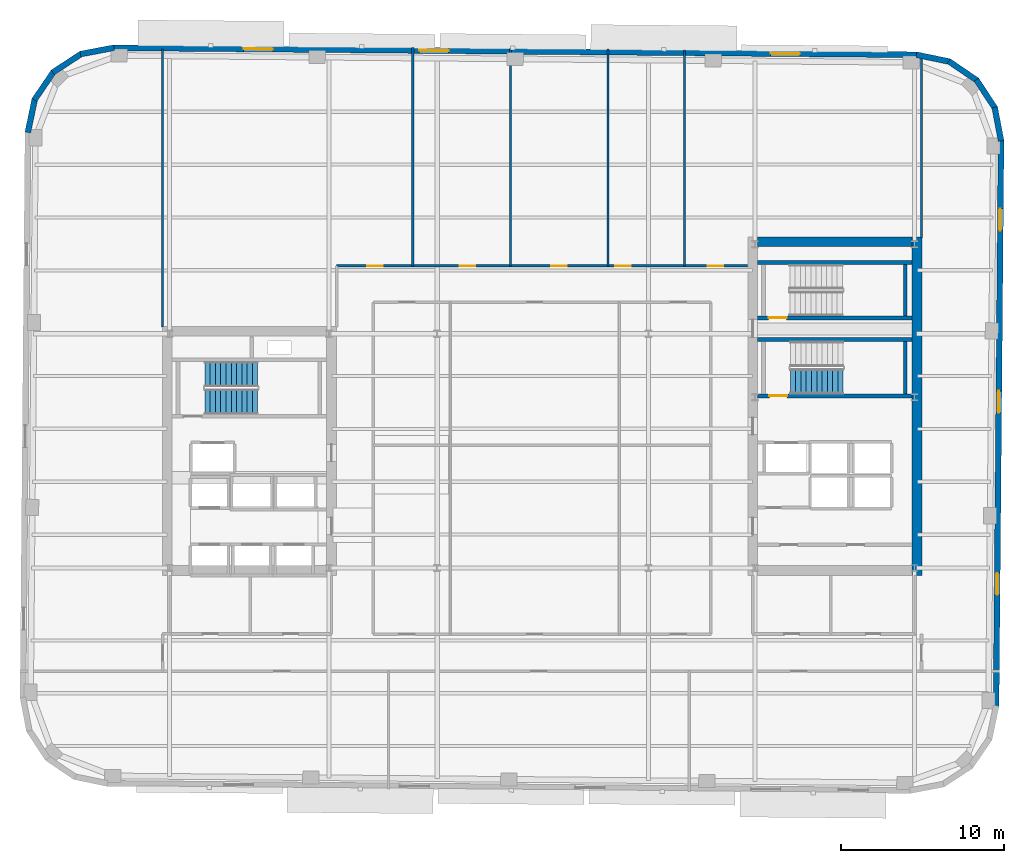
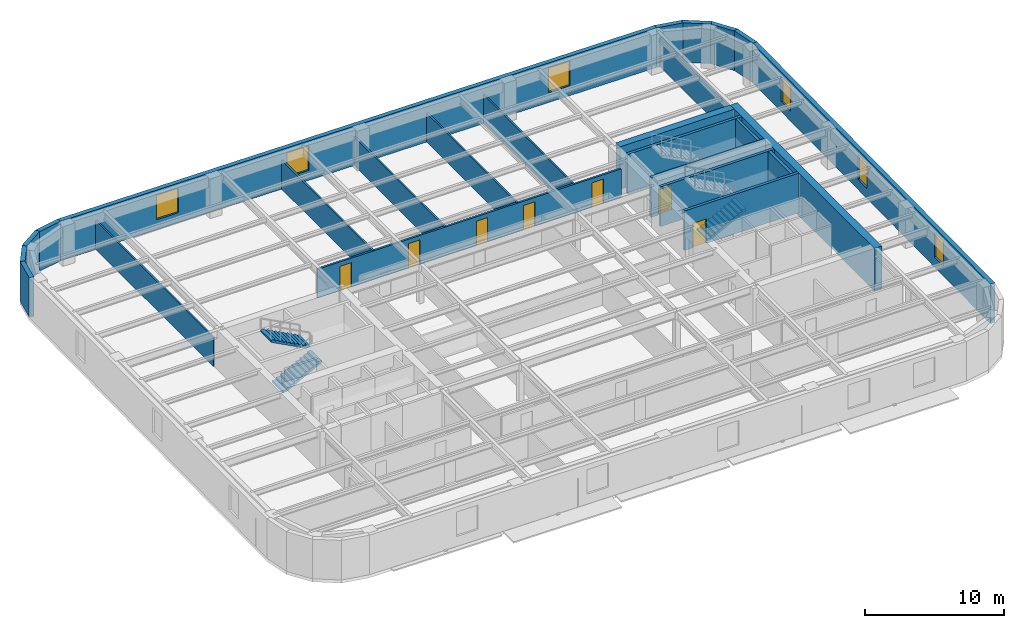
# One storey, part 6 of 11: 25 walls, 7 doors, 6 windows, 3 stair flights, 13 openings, 2 elements without a shape of their own.
"""IFC4 building model written with IfcOpenShell, lengths in metres."""

from ifc_helpers import new_model, si_unit, direction, frame, frame_2d, origin, place, context, subcontext, project, spatial, polyline, rectangle, outline, extrude, material, layer, layer_set, type_object, element, fill, aggregate, save


model = new_model("IFC4")

# Units and contexts
model_context = context("Model", 3, precision=1e-05, world=origin(), true_north=direction((0.0, 1.0)))
body_context = subcontext(model_context, "Body", "Model", "MODEL_VIEW")
ifc_project = project(units=[si_unit("LENGTHUNIT", "METRE"), si_unit("AREAUNIT", "SQUARE_METRE"), si_unit("VOLUMEUNIT", "CUBIC_METRE"), si_unit("PLANEANGLEUNIT", "RADIAN"), si_unit("MASSUNIT", "GRAM", prefix="KILO")], contexts=[model_context])

# Site, building, storey
site_placement = place(None, origin())
site = spatial("IfcSite", under=ifc_project, at=site_placement, CompositionType="ELEMENT")
building_placement = place(site_placement, origin())
building = spatial("IfcBuilding", under=site, at=building_placement, Name="Kolvaren Arena Tower", CompositionType="ELEMENT")
storey_placement = place(building_placement, frame((0.0, 0.0, 169.699951171875)))
storey = spatial("IfcBuildingStorey", under=building, at=storey_placement, Name="L40", CompositionType="ELEMENT", Elevation=169.699951171875)

# Wall, openings, doors
ifc_material_1 = material(Name="Gypsum board acoustic assembly", Category="gypsum")
ifc_layer_1 = layer(ifc_material_1, 0.159912109375)
ifc_layer_set_1 = layer_set([ifc_layer_1], Name="Gypsum board acoustic assembly")
wall_type_1 = type_object("IfcWallType", Name="CORR-160", PredefinedType="PARTITIONING", material=ifc_layer_set_1)
wall_1_placement = place(storey_placement, frame((24.820068359375, 38.02001953125, 0.0), z_axis=(0.0, 0.0, 1.0), x_axis=(1.0, 0.0, 0.0)))
wall_1 = element("IfcWall", 1, at=wall_1_placement, inside=storey, type_object=wall_type_1, Name="Interior Partition Wall (L40)", PredefinedType="PARTITIONING", context=body_context, shape_type="SweptSolid", body=[
    extrude(rectangle(XDim=25.260009765625, YDim=0.159912109375, at=frame_2d((12.6298828125, 0.0))), origin(), (0.0, 0.0, 1.0), 2.5400390625),
])
opening_1_placement = place(wall_1_placement, frame((1.8798828125, 0.0, 0.0)))
opening_1 = element("IfcOpeningElement", 2, at=opening_1_placement, cuts=wall_1, Name="Opening D05", PredefinedType="OPENING", context=body_context, shape_type="SweptSolid", body=[
    extrude(rectangle(XDim=0.949951171875, YDim=2.14990234375, at=frame_2d((0.47509765625, 1.074951171875))), frame((0.0, 0.08984375, 0.0), z_axis=(0.0, -1.0, 0.0), x_axis=(1.0, 0.0, 0.0)), (0.0, 0.0, 1.0), 0.179931640625),
])
opening_2_placement = place(wall_1_placement, frame((7.554931640625, 0.0, 0.0)))
opening_2 = element("IfcOpeningElement", 3, at=opening_2_placement, cuts=wall_1, Name="Opening D05", PredefinedType="OPENING", context=body_context, shape_type="SweptSolid", body=[
    extrude(rectangle(XDim=0.949951171875, YDim=2.14990234375, at=frame_2d((0.47509765625, 1.074951171875))), frame((0.0, 0.08984375, 0.0), z_axis=(0.0, -1.0, 0.0), x_axis=(1.0, 0.0, 0.0)), (0.0, 0.0, 1.0), 0.179931640625),
])
opening_3_placement = place(wall_1_placement, frame((13.205078125, 0.0, 0.0)))
opening_3 = element("IfcOpeningElement", 4, at=opening_3_placement, cuts=wall_1, Name="Opening D05", PredefinedType="OPENING", context=body_context, shape_type="SweptSolid", body=[
    extrude(rectangle(XDim=0.949951171875, YDim=2.14990234375, at=frame_2d((0.47509765625, 1.074951171875))), frame((0.0, 0.08984375, 0.0), z_axis=(0.0, -1.0, 0.0), x_axis=(1.0, 0.0, 0.0)), (0.0, 0.0, 1.0), 0.179931640625),
])
opening_4_placement = place(wall_1_placement, frame((17.1298828125, 0.0, 0.0)))
opening_4 = element("IfcOpeningElement", 5, at=opening_4_placement, cuts=wall_1, Name="Opening D05", PredefinedType="OPENING", context=body_context, shape_type="SweptSolid", body=[
    extrude(rectangle(XDim=0.949951171875, YDim=2.14990234375, at=frame_2d((0.47509765625, 1.074951171875))), frame((0.0, 0.08984375, 0.0), z_axis=(0.0, -1.0, 0.0), x_axis=(1.0, 0.0, 0.0)), (0.0, 0.0, 1.0), 0.179931640625),
])
opening_5_placement = place(wall_1_placement, frame((22.830078125, 0.0, 0.0)))
opening_5 = element("IfcOpeningElement", 6, at=opening_5_placement, cuts=wall_1, Name="Opening D05", PredefinedType="OPENING", context=body_context, shape_type="SweptSolid", body=[
    extrude(rectangle(XDim=0.949951171875, YDim=2.14990234375, at=frame_2d((0.47509765625, 1.074951171875))), frame((0.0, 0.08984375, 0.0), z_axis=(0.0, -1.0, 0.0), x_axis=(1.0, 0.0, 0.0)), (0.0, 0.0, 1.0), 0.179931640625),
])
ifc_material_2 = material(Name="Solid-core oak acoustic office door", Category="wood")
door_type_1 = type_object("IfcDoorType", Name="DOOR-OF-095", OperationType="NOTDEFINED", PredefinedType="DOOR", material=ifc_material_2)
door_1_placement = place(opening_1_placement, origin())
door_1 = element("IfcDoor", 7, at=door_1_placement, inside=storey, type_object=door_type_1, Name="Copy and Print Room Door (L40)", OperationType="SINGLE_SWING_LEFT", OverallHeight=2.14990234375, OverallWidth=0.949951171875, PredefinedType="DOOR", context=body_context, shape_type="SweptSolid", body=[
    extrude(rectangle(XDim=0.949951171875, YDim=2.14990234375, at=frame_2d((0.47509765625, 1.074951171875))), frame((0.0, 0.02490234375, 0.0), z_axis=(0.0, -1.0, 0.0), x_axis=(1.0, 0.0, 0.0)), (0.0, 0.0, 1.0), 0.050048828125),
])
fill(opening_1, door_1)
door_2_placement = place(opening_2_placement, origin())
door_2 = element("IfcDoor", 8, at=door_2_placement, inside=storey, type_object=door_type_1, Name="Boardroom Door (L40)", OperationType="SINGLE_SWING_RIGHT", OverallHeight=2.14990234375, OverallWidth=0.949951171875, PredefinedType="DOOR", context=body_context, shape_type="SweptSolid", body=[
    extrude(rectangle(XDim=0.949951171875, YDim=2.14990234375, at=frame_2d((0.47509765625, 1.074951171875))), frame((0.0, 0.02490234375, 0.0), z_axis=(0.0, -1.0, 0.0), x_axis=(1.0, 0.0, 0.0)), (0.0, 0.0, 1.0), 0.050048828125),
])
fill(opening_2, door_2)
door_3_placement = place(opening_3_placement, origin())
door_3 = element("IfcDoor", 9, at=door_3_placement, inside=storey, type_object=door_type_1, Name="Breakout Pantry and Kitchen Door (L40)", OperationType="SINGLE_SWING_LEFT", OverallHeight=2.14990234375, OverallWidth=0.949951171875, PredefinedType="DOOR", context=body_context, shape_type="SweptSolid", body=[
    extrude(rectangle(XDim=0.949951171875, YDim=2.14990234375, at=frame_2d((0.47509765625, 1.074951171875))), frame((0.0, 0.02490234375, 0.0), z_axis=(0.0, -1.0, 0.0), x_axis=(1.0, 0.0, 0.0)), (0.0, 0.0, 1.0), 0.050048828125),
])
fill(opening_3, door_3)
door_4_placement = place(opening_4_placement, origin())
door_4 = element("IfcDoor", 10, at=door_4_placement, inside=storey, type_object=door_type_1, Name="Tenant Reception Area Door (L40)", OperationType="SINGLE_SWING_RIGHT", OverallHeight=2.14990234375, OverallWidth=0.949951171875, PredefinedType="DOOR", context=body_context, shape_type="SweptSolid", body=[
    extrude(rectangle(XDim=0.949951171875, YDim=2.14990234375, at=frame_2d((0.47509765625, 1.074951171875))), frame((0.0, 0.02490234375, 0.0), z_axis=(0.0, -1.0, 0.0), x_axis=(1.0, 0.0, 0.0)), (0.0, 0.0, 1.0), 0.050048828125),
])
fill(opening_4, door_4)
door_5_placement = place(opening_5_placement, origin())
door_5 = element("IfcDoor", 11, at=door_5_placement, inside=storey, type_object=door_type_1, Name="Executive Office Door (L40)", OperationType="SINGLE_SWING_LEFT", OverallHeight=2.14990234375, OverallWidth=0.949951171875, PredefinedType="DOOR", context=body_context, shape_type="SweptSolid", body=[
    extrude(rectangle(XDim=0.949951171875, YDim=2.14990234375, at=frame_2d((0.47509765625, 1.074951171875))), frame((0.0, 0.02490234375, 0.0), z_axis=(0.0, -1.0, 0.0), x_axis=(1.0, 0.0, 0.0)), (0.0, 0.0, 1.0), 0.050048828125),
])
fill(opening_5, door_5)

# Walls
ifc_material_3 = material(Name="Concrete 60 MPa", Category="concrete")
ifc_layer_2 = layer(ifc_material_3, 0.60009765625)
ifc_layer_set_2 = layer_set([ifc_layer_2], Name="Concrete 60 MPa")
wall_type_2 = type_object("IfcWallType", Name="CWALL-600", PredefinedType="SHEAR", material=ifc_layer_set_2)
wall_2_placement = place(storey_placement, frame((60.5, 19.0, -0.27001953125), z_axis=(0.0, 0.0, 1.0), x_axis=(0.0, 1.0, 0.0)))
element("IfcWall", 12, at=wall_2_placement, inside=storey, type_object=wall_type_2, Name="Core Shear Wall EC-EAST (L40)", PredefinedType="SHEAR", context=body_context, shape_type="SweptSolid", body=[
    extrude(rectangle(XDim=20.800048828125, YDim=0.60009765625, at=frame_2d((10.39990234375, 0.0))), origin(), (0.0, 0.0, 1.0), 3.75),
])
wall_3_placement = place(storey_placement, frame((50.699951171875, 39.5, -0.27001953125), z_axis=(0.0, 0.0, 1.0), x_axis=(1.0, 0.0, 0.0)))
element("IfcWall", 13, at=wall_3_placement, inside=storey, type_object=wall_type_2, Name="Core Shear Wall EC-NORTH (L40)", PredefinedType="SHEAR", context=body_context, shape_type="SweptSolid", body=[
    extrude(rectangle(XDim=9.5, YDim=0.60009765625, at=frame_2d((4.75, 0.0))), origin(), (0.0, 0.0, 1.0), 3.75),
])

# Wall, openings, windows
ifc_material_4 = material(Name="Precast concrete C50/60", Category="concrete")
ifc_layer_3 = layer(ifc_material_4, 0.360107421875)
ifc_layer_set_3 = layer_set([ifc_layer_3], Name="Precast concrete C50/60")
wall_type_3 = type_object("IfcWallType", Name="EXT-PIER2", PredefinedType="SOLIDWALL", material=ifc_layer_set_3)
wall_4_placement = place(storey_placement, frame((65.670654296875, 45.73828125, 0.0), z_axis=(0.0, 0.0, 1.0), x_axis=(-0.008727348535, -0.999961915969, 0.0)))
wall_4 = element("IfcWall", 14, at=wall_4_placement, inside=storey, type_object=wall_type_3, Name="Exterior Precast Masonry-Frame Wall (L40)", PredefinedType="SOLIDWALL", context=body_context, shape_type="SweptSolid", body=[
    extrude(rectangle(XDim=34.7998046875, YDim=0.360107421875, at=frame_2d((17.39990234375, 0.0))), origin(), (0.0, 0.0, 1.0), 3.47998046875),
])
opening_6_placement = place(wall_4_placement, frame((4.199951171875, 0.0, 0.8798828125)))
opening_6 = element("IfcOpeningElement", 15, at=opening_6_placement, cuts=wall_4, Name="Opening W04", PredefinedType="OPENING", context=body_context, shape_type="SweptSolid", body=[
    extrude(rectangle(XDim=1.35009765625, YDim=2.199951171875, at=frame_2d((0.675048828125, 1.10009765625))), frame((0.0, 0.18994140625, 0.0), z_axis=(0.0, -1.0, 0.0), x_axis=(1.0, 0.0, 0.0)), (0.0, 0.0, 1.0), 0.380126953125),
])
opening_7_placement = place(wall_4_placement, frame((15.39990234375, 0.0, 0.8798828125)))
opening_7 = element("IfcOpeningElement", 16, at=opening_7_placement, cuts=wall_4, Name="Opening W04", PredefinedType="OPENING", context=body_context, shape_type="SweptSolid", body=[
    extrude(rectangle(XDim=1.35009765625, YDim=2.199951171875, at=frame_2d((0.675048828125, 1.10009765625))), frame((0.0, 0.18994140625, 0.0), z_axis=(0.0, -1.0, 0.0), x_axis=(1.0, 0.0, 0.0)), (0.0, 0.0, 1.0), 0.380126953125),
])
opening_8_placement = place(wall_4_placement, frame((26.60009765625, 0.0, 0.8798828125)))
opening_8 = element("IfcOpeningElement", 17, at=opening_8_placement, cuts=wall_4, Name="Opening W04", PredefinedType="OPENING", context=body_context, shape_type="SweptSolid", body=[
    extrude(rectangle(XDim=1.35009765625, YDim=2.199951171875, at=frame_2d((0.675048828125, 1.10009765625))), frame((0.0, 0.18994140625, 0.0), z_axis=(0.0, -1.0, 0.0), x_axis=(1.0, 0.0, 0.0)), (0.0, 0.0, 1.0), 0.380126953125),
])
ifc_material_5 = material(Name="Triple-glazed curved-facet corner window", Category="glass")
window_type_1 = type_object("IfcWindowType", Name="WIN-CRN-A", PartitioningType="SINGLE_PANEL", PredefinedType="WINDOW", material=ifc_material_5)
window_1_placement = place(opening_6_placement, origin())
window_1 = element("IfcWindow", 18, at=window_1_placement, inside=storey, type_object=window_type_1, Name="End-Wall Punched Window (L40)", OverallHeight=2.199951171875, OverallWidth=1.35009765625, PartitioningType="SINGLE_PANEL", PredefinedType="WINDOW", context=body_context, shape_type="SweptSolid", body=[
    extrude(rectangle(XDim=1.35009765625, YDim=2.199951171875, at=frame_2d((0.675048828125, 1.10009765625))), frame((0.0, 0.030029296875, 0.0), z_axis=(0.0, -1.0, 0.0), x_axis=(1.0, 0.0, 0.0)), (0.0, 0.0, 1.0), 0.06005859375),
])
fill(opening_6, window_1)
window_2_placement = place(opening_7_placement, origin())
window_2 = element("IfcWindow", 19, at=window_2_placement, inside=storey, type_object=window_type_1, Name="End-Wall Punched Window (L40)", OverallHeight=2.199951171875, OverallWidth=1.35009765625, PartitioningType="SINGLE_PANEL", PredefinedType="WINDOW", context=body_context, shape_type="SweptSolid", body=[
    extrude(rectangle(XDim=1.35009765625, YDim=2.199951171875, at=frame_2d((0.675048828125, 1.10009765625))), frame((0.0, 0.030029296875, 0.0), z_axis=(0.0, -1.0, 0.0), x_axis=(1.0, 0.0, 0.0)), (0.0, 0.0, 1.0), 0.06005859375),
])
fill(opening_7, window_2)
window_3_placement = place(opening_8_placement, origin())
window_3 = element("IfcWindow", 20, at=window_3_placement, inside=storey, type_object=window_type_1, Name="End-Wall Punched Window (L40)", OverallHeight=2.199951171875, OverallWidth=1.35009765625, PartitioningType="SINGLE_PANEL", PredefinedType="WINDOW", context=body_context, shape_type="SweptSolid", body=[
    extrude(rectangle(XDim=1.35009765625, YDim=2.199951171875, at=frame_2d((0.675048828125, 1.10009765625))), frame((0.0, 0.030029296875, 0.0), z_axis=(0.0, -1.0, 0.0), x_axis=(1.0, 0.0, 0.0)), (0.0, 0.0, 1.0), 0.06005859375),
])
fill(opening_8, window_3)

# Walls
wall_5_placement = place(storey_placement, frame((65.281005859375, 47.773193359375, 0.0), z_axis=(0.0, 0.0, 1.0), x_axis=(0.186435855703, -0.98246713518, 0.0)))
element("IfcWall", 21, at=wall_5_placement, inside=storey, type_object=wall_type_3, Name="Exterior Precast Masonry-Frame Wall (L40)", PredefinedType="SOLIDWALL", context=body_context, shape_type="SweptSolid", body=[
    extrude(rectangle(XDim=2.10693359375, YDim=0.360107421875, at=frame_2d((1.053466796875, 0.0))), origin(), (0.0, 0.0, 1.0), 3.47998046875),
])
wall_6_placement = place(storey_placement, frame((64.152099609375, 49.469970703125, 0.0), z_axis=(0.0, 0.0, 1.0), x_axis=(0.548238722478, -0.83632188969, 0.0)))
element("IfcWall", 22, at=wall_6_placement, inside=storey, type_object=wall_type_3, Name="Exterior Precast Masonry-Frame Wall (L40)", PredefinedType="SOLIDWALL", context=body_context, shape_type="SweptSolid", body=[
    extrude(rectangle(XDim=2.106689453125, YDim=0.360107421875, at=frame_2d((1.05322265625, 0.0))), origin(), (0.0, 0.0, 1.0), 3.47998046875),
])
wall_7_placement = place(storey_placement, frame((62.45947265625, 50.605712890625, 0.0), z_axis=(0.0, 0.0, 1.0), x_axis=(0.826609569219, -0.56277581689, 0.0)))
element("IfcWall", 23, at=wall_7_placement, inside=storey, type_object=wall_type_3, Name="Exterior Precast Masonry-Frame Wall (L40)", PredefinedType="SOLIDWALL", context=body_context, shape_type="SweptSolid", body=[
    extrude(rectangle(XDim=2.10693359375, YDim=0.360107421875, at=frame_2d((1.053466796875, 0.0))), origin(), (0.0, 0.0, 1.0), 3.47998046875),
])
wall_8_placement = place(storey_placement, frame((60.461181640625, 51.00732421875, 0.0), z_axis=(0.0, 0.0, 1.0), x_axis=(0.979059388908, -0.203574833883, 0.0)))
element("IfcWall", 24, at=wall_8_placement, inside=storey, type_object=wall_type_3, Name="Exterior Precast Masonry-Frame Wall (L40)", PredefinedType="SOLIDWALL", context=body_context, shape_type="SweptSolid", body=[
    extrude(rectangle(XDim=2.107177734375, YDim=0.360107421875, at=frame_2d((1.0537109375, 0.0))), origin(), (0.0, 0.0, 1.0), 3.47998046875),
])

# Wall, openings, windows
wall_9_placement = place(storey_placement, frame((11.098388671875, 51.434814453125, 0.0), z_axis=(0.0, 0.0, 1.0), x_axis=(0.99996191194, -0.008727810138, 0.0)))
wall_9 = element("IfcWall", 25, at=wall_9_placement, inside=storey, type_object=wall_type_3, Name="Exterior Precast Masonry-Frame Wall (L40)", PredefinedType="SOLIDWALL", context=body_context, shape_type="SweptSolid", body=[
    extrude(rectangle(XDim=49.39990234375, YDim=0.360107421875, at=frame_2d((24.699951171875, 0.0))), origin(), (0.0, 0.0, 1.0), 3.47998046875),
])
opening_9_placement = place(wall_9_placement, frame((8.0, 0.0, 0.8798828125)))
opening_9 = element("IfcOpeningElement", 26, at=opening_9_placement, cuts=wall_9, Name="Opening W02", PredefinedType="OPENING", context=body_context, shape_type="SweptSolid", body=[
    extrude(rectangle(XDim=1.800048828125, YDim=2.14990234375, at=frame_2d((0.89990234375, 1.074951171875))), frame((0.0, 0.18994140625, 0.0), z_axis=(0.0, -1.0, 0.0), x_axis=(1.0, 0.0, 0.0)), (0.0, 0.0, 1.0), 0.380126953125),
])
opening_10_placement = place(wall_9_placement, frame((18.800048828125, 0.0, 0.8798828125)))
opening_10 = element("IfcOpeningElement", 27, at=opening_10_placement, cuts=wall_9, Name="Opening W02", PredefinedType="OPENING", context=body_context, shape_type="SweptSolid", body=[
    extrude(rectangle(XDim=1.800048828125, YDim=2.14990234375, at=frame_2d((0.89990234375, 1.074951171875))), frame((0.0, 0.18994140625, 0.0), z_axis=(0.0, -1.0, 0.0), x_axis=(1.0, 0.0, 0.0)), (0.0, 0.0, 1.0), 0.380126953125),
])
opening_11_placement = place(wall_9_placement, frame((40.39990234375, 0.0, 0.8798828125)))
opening_11 = element("IfcOpeningElement", 28, at=opening_11_placement, cuts=wall_9, Name="Opening W02", PredefinedType="OPENING", context=body_context, shape_type="SweptSolid", body=[
    extrude(rectangle(XDim=1.800048828125, YDim=2.14990234375, at=frame_2d((0.89990234375, 1.074951171875))), frame((0.0, 0.18994140625, 0.0), z_axis=(0.0, -1.0, 0.0), x_axis=(1.0, 0.0, 0.0)), (0.0, 0.0, 1.0), 0.380126953125),
])
ifc_material_6 = material(Name="Triple-glazed low-E aluminium window", Category="aluminium")
window_type_2 = type_object("IfcWindowType", Name="WIN-OFF-B", PartitioningType="DOUBLE_PANEL_VERTICAL", PredefinedType="WINDOW", material=ifc_material_6)
window_4_placement = place(opening_9_placement, origin())
window_4 = element("IfcWindow", 29, at=window_4_placement, inside=storey, type_object=window_type_2, Name="Punched Precast-Pier Window (L40)", OverallHeight=2.14990234375, OverallWidth=1.800048828125, PartitioningType="DOUBLE_PANEL_VERTICAL", PredefinedType="WINDOW", context=body_context, shape_type="SweptSolid", body=[
    extrude(rectangle(XDim=1.800048828125, YDim=2.14990234375, at=frame_2d((0.89990234375, 1.074951171875))), frame((0.0, 0.030029296875, 0.0), z_axis=(0.0, -1.0, 0.0), x_axis=(1.0, 0.0, 0.0)), (0.0, 0.0, 1.0), 0.06005859375),
])
fill(opening_9, window_4)
window_5_placement = place(opening_10_placement, origin())
window_5 = element("IfcWindow", 30, at=window_5_placement, inside=storey, type_object=window_type_2, Name="Punched Precast-Pier Window (L40)", OverallHeight=2.14990234375, OverallWidth=1.800048828125, PartitioningType="DOUBLE_PANEL_VERTICAL", PredefinedType="WINDOW", context=body_context, shape_type="SweptSolid", body=[
    extrude(rectangle(XDim=1.800048828125, YDim=2.14990234375, at=frame_2d((0.89990234375, 1.074951171875))), frame((0.0, 0.030029296875, 0.0), z_axis=(0.0, -1.0, 0.0), x_axis=(1.0, 0.0, 0.0)), (0.0, 0.0, 1.0), 0.06005859375),
])
fill(opening_10, window_5)
window_6_placement = place(opening_11_placement, origin())
window_6 = element("IfcWindow", 31, at=window_6_placement, inside=storey, type_object=window_type_2, Name="Punched Precast-Pier Window (L40)", OverallHeight=2.14990234375, OverallWidth=1.800048828125, PartitioningType="DOUBLE_PANEL_VERTICAL", PredefinedType="WINDOW", context=body_context, shape_type="SweptSolid", body=[
    extrude(rectangle(XDim=1.800048828125, YDim=2.14990234375, at=frame_2d((0.89990234375, 1.074951171875))), frame((0.0, 0.030029296875, 0.0), z_axis=(0.0, -1.0, 0.0), x_axis=(1.0, 0.0, 0.0)), (0.0, 0.0, 1.0), 0.06005859375),
])
fill(opening_11, window_6)

# Walls
wall_10_placement = place(storey_placement, frame((9.0634765625, 51.044921875, 0.0), z_axis=(0.0, 0.0, 1.0), x_axis=(0.982445905584, 0.186547695246, 0.0)))
element("IfcWall", 32, at=wall_10_placement, inside=storey, type_object=wall_type_3, Name="Exterior Precast Masonry-Frame Wall (L40)", PredefinedType="SOLIDWALL", context=body_context, shape_type="SweptSolid", body=[
    extrude(rectangle(XDim=2.107177734375, YDim=0.360107421875, at=frame_2d((1.0537109375, 0.0))), origin(), (0.0, 0.0, 1.0), 3.47998046875),
])
for number, where, z_axis, x_axis, name in (
    (33, (7.36669921875, 49.916015625, 0.0), (0.0, 0.0, 1.0), (0.836268756678, 0.548319766745, 0.0), "Exterior Precast Masonry-Frame Wall (L40)"),
    (34, (6.23095703125, 48.223388671875, 0.0), (0.0, 0.0, 1.0), (0.56277581689, 0.826609569219, 0.0), "Exterior Precast Masonry-Frame Wall (L40)"),
    (35, (5.8291015625, 46.225341796875, 0.0), (0.0, 0.0, 1.0), (0.203709000552, 0.979031482177, 0.0), "Exterior Precast Masonry-Frame Wall (L40)"),
):
    element("IfcWall", number, at=place(storey_placement, frame(where, z_axis=z_axis, x_axis=x_axis)), inside=storey, type_object=wall_type_3, Name=name, PredefinedType="SOLIDWALL", context=body_context, shape_type="SweptSolid", body=[
        extrude(rectangle(XDim=2.10693359375, YDim=0.360107421875, at=frame_2d((1.053466796875, 0.0))), origin(), (0.0, 0.0, 1.0), 3.47998046875),
    ])
ifc_material_7 = material(Name="Gypsum board partition assembly", Category="gypsum")
ifc_layer_4 = layer(ifc_material_7, 0.135009765625)
ifc_layer_set_4 = layer_set([ifc_layer_4], Name="Gypsum board partition assembly")
wall_type_4 = type_object("IfcWallType", Name="PART-135", PredefinedType="PARTITIONING", material=ifc_layer_set_4)
wall_11_placement = place(storey_placement, frame((29.5, 38.02001953125, 0.0), z_axis=(0.0, 0.0, 1.0), x_axis=(0.0, 1.0, 0.0)))
element("IfcWall", 36, at=wall_11_placement, inside=storey, type_object=wall_type_4, Name="Interior Partition Wall (L40)", PredefinedType="PARTITIONING", context=body_context, shape_type="SweptSolid", body=[
    extrude(rectangle(XDim=13.43408203125, YDim=0.135009765625, at=frame_2d((6.717041015625, 0.0))), origin(), (0.0, 0.0, 1.0), 2.5400390625),
])
wall_12_placement = place(storey_placement, frame((35.5, 38.02001953125, 0.0), z_axis=(0.0, 0.0, 1.0), x_axis=(0.0, 1.0, 0.0)))
element("IfcWall", 37, at=wall_12_placement, inside=storey, type_object=wall_type_4, Name="Interior Partition Wall (L40)", PredefinedType="PARTITIONING", context=body_context, shape_type="SweptSolid", body=[
    extrude(rectangle(XDim=13.3818359375, YDim=0.135009765625, at=frame_2d((6.69091796875, 0.0))), origin(), (0.0, 0.0, 1.0), 2.5400390625),
])
wall_13_placement = place(storey_placement, frame((41.5, 38.02001953125, 0.0), z_axis=(0.0, 0.0, 1.0), x_axis=(0.0, 1.0, 0.0)))
element("IfcWall", 38, at=wall_13_placement, inside=storey, type_object=wall_type_4, Name="Interior Partition Wall (L40)", PredefinedType="PARTITIONING", context=body_context, shape_type="SweptSolid", body=[
    extrude(rectangle(XDim=13.329345703125, YDim=0.135009765625, at=frame_2d((6.66455078125, 0.0))), origin(), (0.0, 0.0, 1.0), 2.5400390625),
])
wall_14_placement = place(storey_placement, frame((46.199951171875, 38.02001953125, 0.0), z_axis=(0.0, 0.0, 1.0), x_axis=(0.0, 1.0, 0.0)))
element("IfcWall", 39, at=wall_14_placement, inside=storey, type_object=wall_type_4, Name="Interior Partition Wall (L40)", PredefinedType="PARTITIONING", context=body_context, shape_type="SweptSolid", body=[
    extrude(rectangle(XDim=13.288330078125, YDim=0.135009765625, at=frame_2d((6.64404296875, 0.0))), origin(), (0.0, 0.0, 1.0), 2.5400390625),
])
wall_15_placement = place(storey_placement, frame((14.1201171875, 34.25, 0.0), z_axis=(0.0, 0.0, 1.0), x_axis=(0.0, 1.0, 0.0)))
element("IfcWall", 40, at=wall_15_placement, inside=storey, type_object=wall_type_4, Name="Interior Partition Wall (L40)", PredefinedType="PARTITIONING", context=body_context, shape_type="SweptSolid", body=[
    extrude(rectangle(XDim=17.098388671875, YDim=0.135009765625, at=frame_2d((8.54931640625, 0.0))), origin(), (0.0, 0.0, 1.0), 2.5400390625),
])
wall_16_placement = place(storey_placement, frame((60.780029296875, 39.75, 0.0), z_axis=(0.0, 0.0, 1.0), x_axis=(0.0, 1.0, 0.0)))
element("IfcWall", 41, at=wall_16_placement, inside=storey, type_object=wall_type_4, Name="Interior Partition Wall (L40)", PredefinedType="PARTITIONING", context=body_context, shape_type="SweptSolid", body=[
    extrude(rectangle(XDim=11.1298828125, YDim=0.135009765625, at=frame_2d((5.56494140625, 0.0))), origin(), (0.0, 0.0, 1.0), 2.5400390625),
])

# Wall, opening, door
ifc_material_8 = material(Name="Concrete 45 MPa", Category="concrete")
ifc_layer_5 = layer(ifc_material_8, 0.25)
ifc_layer_set_5 = layer_set([ifc_layer_5], Name="Concrete 45 MPa")
wall_type_5 = type_object("IfcWallType", Name="SHAFT-250", PredefinedType="SOLIDWALL", material=ifc_layer_set_5)
wall_17_placement = place(storey_placement, frame((60.199951171875, 30.030029296875, 0.0), z_axis=(0.0, 0.0, 1.0), x_axis=(-1.0, 0.0, 0.0)))
wall_17 = element("IfcWall", 42, at=wall_17_placement, inside=storey, type_object=wall_type_5, Name="Core Shaft Wall (L40)", PredefinedType="SOLIDWALL", context=body_context, shape_type="SweptSolid", body=[
    extrude(rectangle(XDim=9.5, YDim=0.239990234375, at=frame_2d((4.75, 0.0))), origin(), (0.0, 0.0, 1.0), 3.47998046875),
])
opening_12_placement = place(wall_17_placement, frame((7.679931640625, 0.0, 0.0)))
opening_12 = element("IfcOpeningElement", 43, at=opening_12_placement, cuts=wall_17, Name="Opening D03", PredefinedType="OPENING", context=body_context, shape_type="SweptSolid", body=[
    extrude(rectangle(XDim=1.10009765625, YDim=2.14990234375, at=frame_2d((0.550048828125, 1.074951171875))), frame((0.0, 0.1298828125, 0.0), z_axis=(0.0, -1.0, 0.0), x_axis=(1.0, 0.0, 0.0)), (0.0, 0.0, 1.0), 0.260009765625),
])
ifc_material_9 = material(Name="Fire-rated steel exit stair door", Category="steel")
door_type_2 = type_object("IfcDoorType", Name="DOOR-ST-110", OperationType="NOTDEFINED", PredefinedType="DOOR", material=ifc_material_9)
door_6_placement = place(opening_12_placement, origin())
door_6 = element("IfcDoor", 44, at=door_6_placement, inside=storey, type_object=door_type_2, Name="Stair ST-E1 Fire Door (L40)", OperationType="SINGLE_SWING_LEFT", OverallHeight=2.14990234375, OverallWidth=1.10009765625, PredefinedType="DOOR", context=body_context, shape_type="SweptSolid", body=[
    extrude(rectangle(XDim=1.10009765625, YDim=2.14990234375, at=frame_2d((0.550048828125, 1.074951171875))), frame((0.0, 0.02490234375, 0.0), z_axis=(0.0, -1.0, 0.0), x_axis=(1.0, 0.0, 0.0)), (0.0, 0.0, 1.0), 0.050048828125),
])
fill(opening_12, door_6)

# Walls
wall_18_placement = place(storey_placement, frame((50.699951171875, 33.5, 0.0), z_axis=(0.0, 0.0, 1.0), x_axis=(1.0, 0.0, 0.0)))
element("IfcWall", 45, at=wall_18_placement, inside=storey, type_object=wall_type_5, Name="Core Shaft Wall (L40)", PredefinedType="SOLIDWALL", context=body_context, shape_type="SweptSolid", body=[
    extrude(rectangle(XDim=9.5, YDim=0.239990234375, at=frame_2d((4.75, 0.0))), origin(), (0.0, 0.0, 1.0), 3.47998046875),
])
wall_19_placement = place(storey_placement, frame((59.780029296875, 30.14990234375, 0.0), z_axis=(0.0, 0.0, 1.0), x_axis=(0.0, 1.0, 0.0)))
element("IfcWall", 46, at=wall_19_placement, inside=storey, type_object=wall_type_5, Name="Core Shaft Wall (L40)", PredefinedType="SOLIDWALL", context=body_context, shape_type="SweptSolid", body=[
    extrude(rectangle(XDim=3.22998046875, YDim=0.239990234375, at=frame_2d((1.614990234375, 0.0))), origin(), (0.0, 0.0, 1.0), 3.47998046875),
])

# Wall, opening, door
wall_20_placement = place(storey_placement, frame((60.199951171875, 34.830078125, 0.0), z_axis=(0.0, 0.0, 1.0), x_axis=(-1.0, 0.0, 0.0)))
wall_20 = element("IfcWall", 47, at=wall_20_placement, inside=storey, type_object=wall_type_5, Name="Core Shaft Wall (L40)", PredefinedType="SOLIDWALL", context=body_context, shape_type="SweptSolid", body=[
    extrude(rectangle(XDim=9.5, YDim=0.239990234375, at=frame_2d((4.75, 0.0))), origin(), (0.0, 0.0, 1.0), 3.47998046875),
])
opening_13_placement = place(wall_20_placement, frame((7.719970703125, 0.0, 0.0)))
opening_13 = element("IfcOpeningElement", 48, at=opening_13_placement, cuts=wall_20, Name="Opening D03", PredefinedType="OPENING", context=body_context, shape_type="SweptSolid", body=[
    extrude(rectangle(XDim=1.10009765625, YDim=2.14990234375, at=frame_2d((0.550048828125, 1.074951171875))), frame((0.0, 0.1298828125, 0.0), z_axis=(0.0, -1.0, 0.0), x_axis=(1.0, 0.0, 0.0)), (0.0, 0.0, 1.0), 0.260009765625),
])
door_7_placement = place(opening_13_placement, origin())
door_7 = element("IfcDoor", 49, at=door_7_placement, inside=storey, type_object=door_type_2, Name="Stair ST-E2 Fire Door (L40)", OperationType="SINGLE_SWING_LEFT", OverallHeight=2.14990234375, OverallWidth=1.10009765625, PredefinedType="DOOR", context=body_context, shape_type="SweptSolid", body=[
    extrude(rectangle(XDim=1.10009765625, YDim=2.14990234375, at=frame_2d((0.550048828125, 1.074951171875))), frame((0.0, 0.02490234375, 0.0), z_axis=(0.0, -1.0, 0.0), x_axis=(1.0, 0.0, 0.0)), (0.0, 0.0, 1.0), 0.050048828125),
])
fill(opening_13, door_7)

# Walls
wall_21_placement = place(storey_placement, frame((50.699951171875, 38.219970703125, 0.0), z_axis=(0.0, 0.0, 1.0), x_axis=(1.0, 0.0, 0.0)))
element("IfcWall", 50, at=wall_21_placement, inside=storey, type_object=wall_type_5, Name="Core Shaft Wall (L40)", PredefinedType="SOLIDWALL", context=body_context, shape_type="SweptSolid", body=[
    extrude(rectangle(XDim=9.5, YDim=0.239990234375, at=frame_2d((4.75, 0.0))), origin(), (0.0, 0.0, 1.0), 3.47998046875),
])
wall_22_placement = place(storey_placement, frame((59.780029296875, 34.949951171875, 0.0), z_axis=(0.0, 0.0, 1.0), x_axis=(0.0, 1.0, 0.0)))
element("IfcWall", 51, at=wall_22_placement, inside=storey, type_object=wall_type_5, Name="Core Shaft Wall (L40)", PredefinedType="SOLIDWALL", context=body_context, shape_type="SweptSolid", body=[
    extrude(rectangle(XDim=3.150146484375, YDim=0.239990234375, at=frame_2d((1.5751953125, 0.0))), origin(), (0.0, 0.0, 1.0), 3.47998046875),
])

# Stair, stair flights
stair_type = type_object("IfcStairType", Name="STAIR-CORE-165", PredefinedType="HALF_TURN_STAIR", material=ifc_material_8)
stair_1_placement = place(storey_placement, origin())
stair_1 = element("IfcStair", 52, at=stair_1_placement, inside=storey, type_object=stair_type, Name="L40 ST-W1", PredefinedType="HALF_TURN_STAIR")
stair_flight_type = type_object("IfcStairFlightType", Name="FLT-165", PredefinedType="STRAIGHT", material=ifc_material_8)
stair_flight_1_placement = place(storey_placement, frame((16.719970703125, 29.669921875, 0.0), z_axis=(0.0, 0.0, 1.0), x_axis=(1.0, 0.0, 0.0)))
stair_flight_1 = element("IfcStairFlight", 53, at=stair_flight_1_placement, type_object=stair_flight_type, Name="ST-W1 flight 1", NumberOfRisers=11, NumberOfTreads=10, PredefinedType="STRAIGHT", RiserHeight=0.170454545, TreadLength=0.324, context=body_context, shape_type="SweptSolid", body=[
    extrude(outline(polyline([(0.0, 0.0), (0.0, 0.17041015625), (0.323974609375, 0.17041015625), (0.323974609375, 0.3408203125), (0.64794921875, 0.3408203125), (0.64794921875, 0.511474609375), (0.971923828125, 0.511474609375), (0.971923828125, 0.681884765625), (1.2958984375, 0.681884765625), (1.2958984375, 0.852294921875), (1.6201171875, 0.852294921875), (1.6201171875, 1.022705078125), (1.944091796875, 1.022705078125), (1.944091796875, 1.193115234375), (2.26806640625, 1.193115234375), (2.26806640625, 1.363525390625), (2.592041015625, 1.363525390625), (2.592041015625, 1.5341796875), (2.916015625, 1.5341796875), (2.916015625, 1.70458984375), (3.239990234375, 1.70458984375), (3.239990234375, 1.875), (3.239990234375, 1.53515625), (0.322021484375, 0.0), (0.0, 0.0)])), frame((0.0, 0.77001953125, 0.0), z_axis=(0.0, -1.0, 0.0), x_axis=(1.0, 0.0, 0.0)), (0.0, 0.0, 1.0), 1.5400390625),
])
stair_flight_2_placement = place(storey_placement, frame((19.9599609375, 31.360107421875, 1.875), z_axis=(0.0, 0.0, 1.0), x_axis=(-1.0, 0.0, 0.0)))
stair_flight_2 = element("IfcStairFlight", 54, at=stair_flight_2_placement, type_object=stair_flight_type, Name="ST-W1 flight 2", NumberOfRisers=11, NumberOfTreads=10, PredefinedType="STRAIGHT", RiserHeight=0.170454545, TreadLength=0.324, context=body_context, shape_type="SweptSolid", body=[
    extrude(outline(polyline([(0.0, 0.0), (0.0, 0.17041015625), (0.323974609375, 0.17041015625), (0.323974609375, 0.3408203125), (0.64794921875, 0.3408203125), (0.64794921875, 0.511474609375), (0.971923828125, 0.511474609375), (0.971923828125, 0.681884765625), (1.2958984375, 0.681884765625), (1.2958984375, 0.852294921875), (1.6201171875, 0.852294921875), (1.6201171875, 1.022705078125), (1.944091796875, 1.022705078125), (1.944091796875, 1.193115234375), (2.26806640625, 1.193115234375), (2.26806640625, 1.363525390625), (2.592041015625, 1.363525390625), (2.592041015625, 1.5341796875), (2.916015625, 1.5341796875), (2.916015625, 1.70458984375), (3.239990234375, 1.70458984375), (3.239990234375, 1.875), (3.239990234375, 1.53515625), (0.322021484375, 0.0), (0.0, 0.0)])), frame((0.0, 0.77001953125, 0.0), z_axis=(0.0, -1.0, 0.0), x_axis=(1.0, 0.0, 0.0)), (0.0, 0.0, 1.0), 1.5400390625),
])
aggregate(stair_1, [stair_flight_1, stair_flight_2])

# Stair, stair flight
stair_2_placement = place(storey_placement, origin())
stair_2 = element("IfcStair", 55, at=stair_2_placement, inside=storey, type_object=stair_type, Name="L40 ST-E1", PredefinedType="HALF_TURN_STAIR")
stair_flight_3_placement = place(storey_placement, frame((52.719970703125, 30.919921875, 0.0), z_axis=(0.0, 0.0, 1.0), x_axis=(1.0, 0.0, 0.0)))
stair_flight_3 = element("IfcStairFlight", 56, at=stair_flight_3_placement, type_object=stair_flight_type, Name="ST-E1 flight 1", NumberOfRisers=11, NumberOfTreads=10, PredefinedType="STRAIGHT", RiserHeight=0.170454545, TreadLength=0.324, context=body_context, shape_type="SweptSolid", body=[
    extrude(outline(polyline([(0.0, 0.0), (0.0, 0.17041015625), (0.323974609375, 0.17041015625), (0.323974609375, 0.3408203125), (0.64794921875, 0.3408203125), (0.64794921875, 0.511474609375), (0.971923828125, 0.511474609375), (0.971923828125, 0.681884765625), (1.2958984375, 0.681884765625), (1.2958984375, 0.852294921875), (1.6201171875, 0.852294921875), (1.6201171875, 1.022705078125), (1.944091796875, 1.022705078125), (1.944091796875, 1.193115234375), (2.26806640625, 1.193115234375), (2.26806640625, 1.363525390625), (2.592041015625, 1.363525390625), (2.592041015625, 1.5341796875), (2.916015625, 1.5341796875), (2.916015625, 1.70458984375), (3.239990234375, 1.70458984375), (3.239990234375, 1.875), (3.239990234375, 1.53515625), (0.322021484375, 0.0), (0.0, 0.0)])), frame((0.0, 0.77001953125, 0.0), z_axis=(0.0, -1.0, 0.0), x_axis=(1.0, 0.0, 0.0)), (0.0, 0.0, 1.0), 1.5400390625),
])
aggregate(stair_2, [stair_flight_3])

save(model, "model.ifc")
